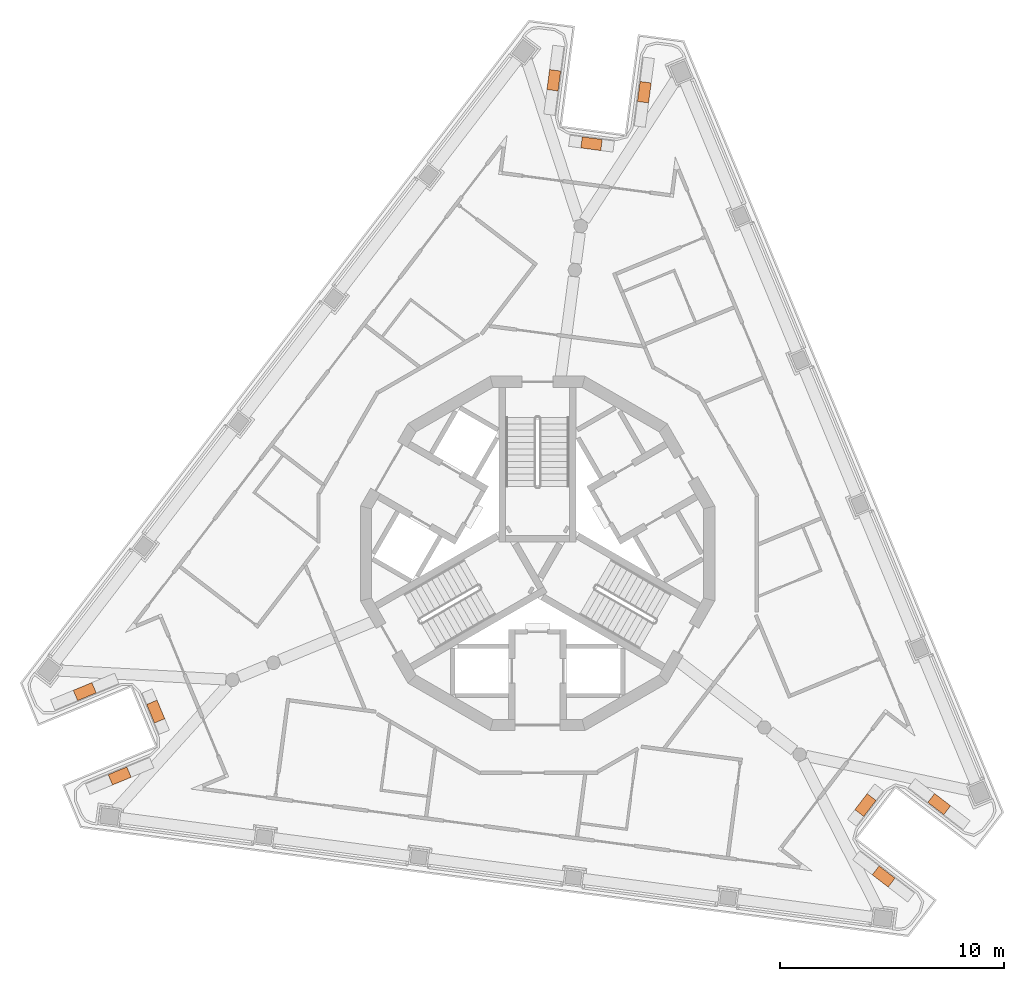
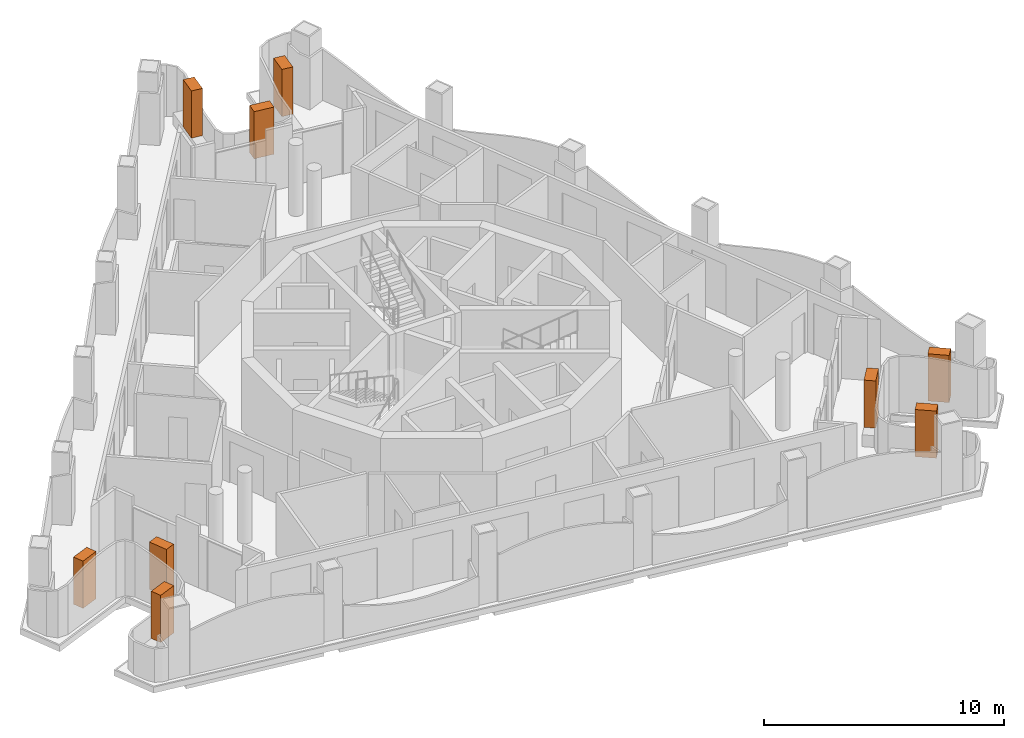
# One storey, part 12 of 12: 9 geographic elements.
"""IFC4 building model written with IfcOpenShell, lengths in metres."""

from ifc_helpers import new_model, si_unit, direction, frame, origin, origin_2d, place, context, subcontext, project, spatial, rectangle, extrude, element, save


model = new_model("IFC4")

# Units and contexts
model_context = context("Model", 3, precision=1e-05, world=origin(), true_north=direction((0.0, 1.0)))
body_context = subcontext(model_context, "Body", "Model", "MODEL_VIEW")
ifc_project = project(units=[si_unit("LENGTHUNIT", "METRE"), si_unit("AREAUNIT", "SQUARE_METRE"), si_unit("VOLUMEUNIT", "CUBIC_METRE"), si_unit("PLANEANGLEUNIT", "RADIAN"), si_unit("MASSUNIT", "GRAM", prefix="KILO")], contexts=[model_context])

# Site, building, storey
site_placement = place(None, origin())
site = spatial("IfcSite", under=ifc_project, at=site_placement, CompositionType="ELEMENT")
building_placement = place(site_placement, origin())
building = spatial("IfcBuilding", under=site, at=building_placement, Name="Trine Commons Tower", CompositionType="ELEMENT")
storey_placement = place(building_placement, frame((0.0, 0.0, 297.0)))
storey = spatial("IfcBuildingStorey", under=building, at=storey_placement, Name="L78", CompositionType="ELEMENT", Elevation=297.0)

# Geographic elements
for number, where, z_axis, x_axis, name in (
    (1, (61.31982421875, 52.554443359375, 0.60009765625), (0.0, 0.0, 1.0), (0.923885543575, 0.382668920052, 0.0), "Tree 1.1"),
    (2, (62.93212890625, 55.430419921875, 0.60009765625), (0.0, 0.0, 1.0), (-0.382688269782, 0.923877528773, 0.0), "Tree 2.1"),
    (3, (59.758544921875, 56.32373046875, 0.60009765625), (0.0, 0.0, 1.0), (-0.923885543575, -0.382668920052, 0.0), "Tree 3.1"),
    (4, (80.726806640625, 83.650146484375, 0.60009765625), (0.0, 0.0, 1.0), (-0.130514079426, -0.991446455978, 0.0), "Tree 4.1"),
    (5, (82.411376953125, 80.816162109375, 0.60009765625), (0.0, 0.0, 1.0), (0.991442583111, -0.130543496177, 0.0), "Tree 5.1"),
    (6, (84.77197265625, 83.11767578125, 0.60009765625), (0.0, 0.0, 1.0), (0.130517540226, 0.991446000392, 0.0), "Tree 6.1"),
    (7, (97.953125, 51.29541015625, 0.60009765625), (0.0, 0.0, 1.0), (-0.793348027815, 0.6087683523, 0.0), "Tree 7.1"),
    (8, (94.656494140625, 51.253662109375, 0.60009765625), (0.0, 0.0, 1.0), (-0.608764198331, -0.793351215308, 0.0), "Tree 8.1"),
    (9, (95.469482421875, 48.05859375, 0.60009765625), (0.0, 0.0, 1.0), (0.793348027815, -0.6087683523, 0.0), "Tree 9.1"),
):
    element("IfcGeographicElement", number, at=place(storey_placement, frame(where, z_axis=z_axis, x_axis=x_axis)), inside=storey, Name=name, ObjectType="TREE Tabebuia rosea", PredefinedType="USERDEFINED", context=body_context, shape_type="SweptSolid", body=[
        extrude(rectangle(XDim=0.89990234375, YDim=0.5, at=origin_2d()), origin(), (0.0, 0.0, 1.0), 2.39990234375),
    ])

save(model, "model.ifc")
